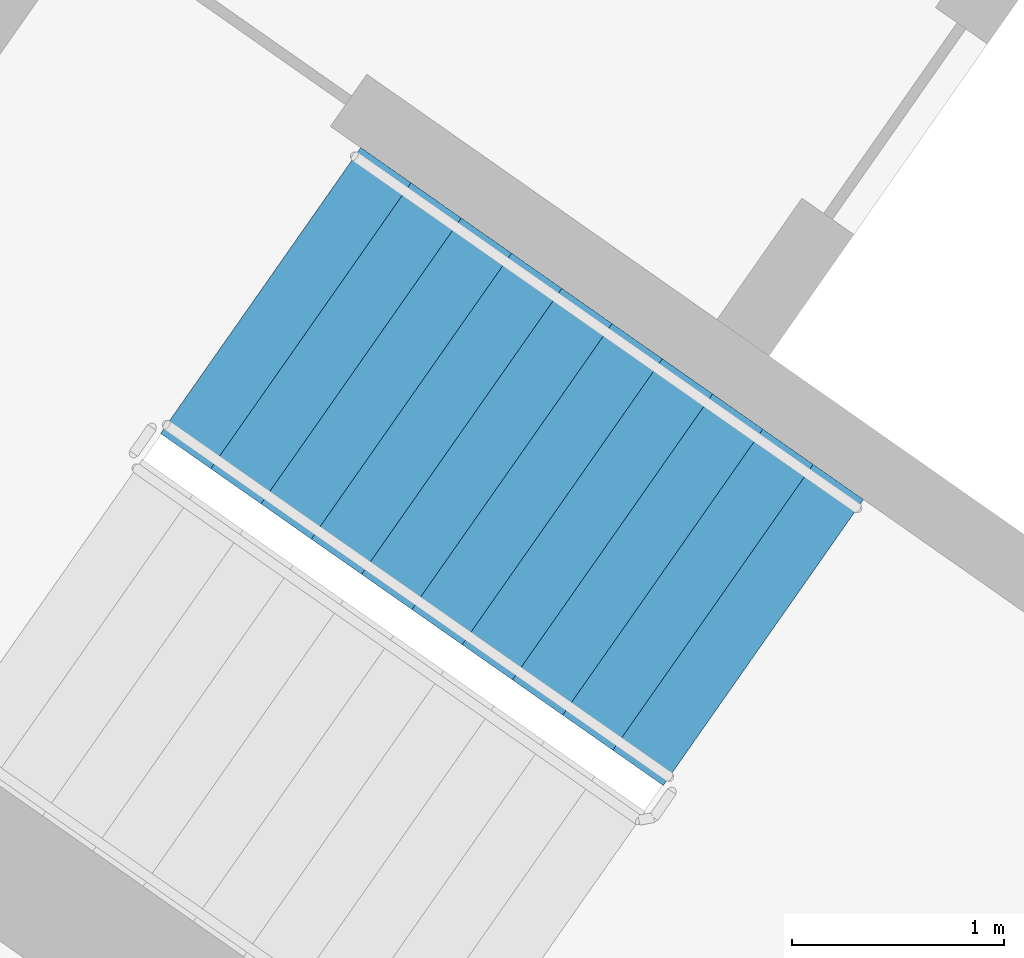
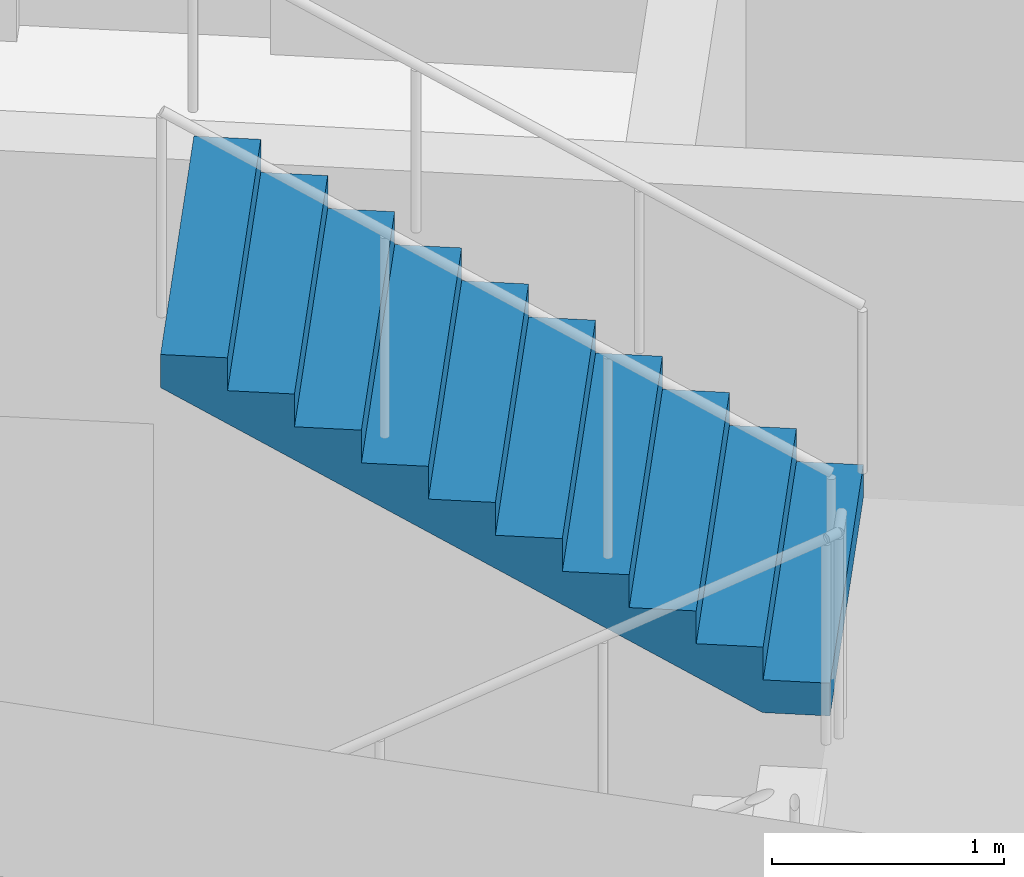
# One storey, part 10 of 27: 1 stair flight, 1 element without a shape of its own.
"""IFC4 building model written with IfcOpenShell, lengths in metres."""

from ifc_helpers import new_model, si_unit, direction, frame, origin, place, context, subcontext, project, spatial, faceted_brep, material, type_object, element, aggregate, save


model = new_model("IFC4")

# Units and contexts
model_context = context("Model", 3, precision=1e-05, world=origin(), true_north=direction((0.0, 1.0)))
body_context = subcontext(model_context, "Body", "Model", "MODEL_VIEW")
ifc_project = project(units=[si_unit("LENGTHUNIT", "METRE"), si_unit("AREAUNIT", "SQUARE_METRE"), si_unit("VOLUMEUNIT", "CUBIC_METRE"), si_unit("PLANEANGLEUNIT", "RADIAN"), si_unit("MASSUNIT", "GRAM", prefix="KILO")], contexts=[model_context])

# Site, building, storey
site_placement = place(None, origin())
site = spatial("IfcSite", under=ifc_project, at=site_placement, CompositionType="ELEMENT")
building_placement = place(site_placement, origin())
building = spatial("IfcBuilding", under=site, at=building_placement, Name="Qamariyya Broadcast Tower", CompositionType="ELEMENT")
storey_placement = place(building_placement, frame((0.0, 0.0, 222.699951171875)))
storey = spatial("IfcBuildingStorey", under=building, at=storey_placement, Name="L53", CompositionType="ELEMENT", Elevation=222.699951171875)

# Stair, stair flight
ifc_material = material(Name="Concrete C50/60", Category="concrete")
stair_type = type_object("IfcStairType", Name="Exit stair 22 risers of 173 mm", PredefinedType="HALF_TURN_STAIR", material=ifc_material)
stair_placement = place(storey_placement, origin())
stair = element("IfcStair", 1, at=stair_placement, inside=storey, type_object=stair_type, Name="L53 Stair W1", PredefinedType="HALF_TURN_STAIR")
stair_flight_type = type_object("IfcStairFlightType", Name="Exit stair flight 11 risers of 173 mm", PredefinedType="STRAIGHT", material=ifc_material)
stair_flight_placement = place(storey_placement, frame((-43.660888671875, -57.17138671875, 1.900146484375), z_axis=(0.0, 0.0, 1.0), x_axis=(-0.819152044289, 0.573576436351, 0.0)))
stair_flight = element("IfcStairFlight", 2, at=stair_flight_placement, type_object=stair_flight_type, Name="ST-W1 flight 2", NumberOfRisers=11, NumberOfTreads=10, PredefinedType="STRAIGHT", RiserHeight=0.172727273, TreadLength=0.29, context=body_context, shape_type="Brep", body=[
    faceted_brep([(0.0, 0.824951171875, 0.0), (0.0, 0.824951171875, 0.172607421875), (0.2900390625, 0.824951171875, 0.172607421875), (0.2900390625, 0.824951171875, 0.345458984375), (0.580078125, 0.824951171875, 0.345458984375), (0.580078125, 0.824951171875, 0.51806640625), (0.8701171875, 0.824951171875, 0.51806640625), (0.8701171875, 0.824951171875, 0.69091796875), (1.159912109375, 0.824951171875, 0.69091796875), (1.159912109375, 0.824951171875, 0.863525390625), (1.449951171875, 0.824951171875, 0.863525390625), (1.449951171875, 0.824951171875, 1.036376953125), (1.739990234375, 0.824951171875, 1.036376953125), (1.739990234375, 0.824951171875, 1.208984375), (2.030029296875, 0.824951171875, 1.208984375), (2.030029296875, 0.824951171875, 1.3818359375), (2.320068359375, 0.824951171875, 1.3818359375), (2.320068359375, 0.824951171875, 1.554443359375), (2.610107421875, 0.824951171875, 1.554443359375), (2.610107421875, 0.824951171875, 1.727294921875), (2.89990234375, 0.824951171875, 1.727294921875), (2.89990234375, 0.824951171875, 1.552734375), (0.29296875, 0.824951171875, 0.0), (0.29296875, -0.824951171875, 0.0), (2.89990234375, -0.824951171875, 1.552734375), (2.89990234375, -0.824951171875, 1.727294921875), (2.610107421875, -0.824951171875, 1.727294921875), (2.610107421875, -0.824951171875, 1.554443359375), (2.320068359375, -0.824951171875, 1.554443359375), (2.320068359375, -0.824951171875, 1.3818359375), (2.030029296875, -0.824951171875, 1.3818359375), (2.030029296875, -0.824951171875, 1.208984375), (1.739990234375, -0.824951171875, 1.208984375), (1.739990234375, -0.824951171875, 1.036376953125), (1.449951171875, -0.824951171875, 1.036376953125), (1.449951171875, -0.824951171875, 0.863525390625), (1.159912109375, -0.824951171875, 0.863525390625), (1.159912109375, -0.824951171875, 0.69091796875), (0.8701171875, -0.824951171875, 0.69091796875), (0.8701171875, -0.824951171875, 0.51806640625), (0.580078125, -0.824951171875, 0.51806640625), (0.580078125, -0.824951171875, 0.345458984375), (0.2900390625, -0.824951171875, 0.345458984375), (0.2900390625, -0.824951171875, 0.172607421875), (0.0, -0.824951171875, 0.172607421875), (0.0, -0.824951171875, 0.0), (0.0, 0.10009765625, 0.0), (0.0, 0.086669921875, 0.0), (0.0, 0.0732421875, 0.0), (0.0, 0.06005859375, 0.0), (0.0, 0.046630859375, 0.0), (0.0, 0.033447265625, 0.0), (0.0, 0.02001953125, 0.0), (0.0, 0.006591796875, 0.0), (0.0, -0.006591796875, 0.0), (0.0, -0.02001953125, 0.0), (0.0, -0.033447265625, 0.0), (0.0, -0.046630859375, 0.0), (0.0, -0.06005859375, 0.0), (0.0, -0.0732421875, 0.0), (0.0, -0.086669921875, 0.0), (0.0, -0.10009765625, 0.0), (0.0, -0.10009765625, 0.172607421875), (0.0, -0.086669921875, 0.172607421875), (0.0, -0.0732421875, 0.172607421875), (0.0, -0.06005859375, 0.172607421875), (0.0, -0.046630859375, 0.172607421875), (0.0, -0.033447265625, 0.172607421875), (0.0, -0.02001953125, 0.172607421875), (0.0, -0.006591796875, 0.172607421875), (0.0, 0.006591796875, 0.172607421875), (0.0, 0.02001953125, 0.172607421875), (0.0, 0.033447265625, 0.172607421875), (0.0, 0.046630859375, 0.172607421875), (0.0, 0.06005859375, 0.172607421875), (0.0, 0.0732421875, 0.172607421875), (0.0, 0.086669921875, 0.172607421875), (0.0, 0.10009765625, 0.172607421875), (0.2900390625, -0.10009765625, 0.172607421875), (0.2900390625, -0.086669921875, 0.172607421875), (0.2900390625, -0.0732421875, 0.172607421875), (0.2900390625, -0.06005859375, 0.172607421875), (0.2900390625, -0.046630859375, 0.172607421875), (0.2900390625, -0.033447265625, 0.172607421875), (0.2900390625, -0.02001953125, 0.172607421875), (0.2900390625, -0.006591796875, 0.172607421875), (0.2900390625, 0.006591796875, 0.172607421875), (0.2900390625, 0.02001953125, 0.172607421875), (0.2900390625, 0.033447265625, 0.172607421875), (0.2900390625, 0.046630859375, 0.172607421875), (0.2900390625, 0.06005859375, 0.172607421875), (0.2900390625, 0.0732421875, 0.172607421875), (0.2900390625, 0.086669921875, 0.172607421875), (0.2900390625, 0.10009765625, 0.172607421875), (0.2900390625, -0.10009765625, 0.345458984375), (0.2900390625, -0.086669921875, 0.345458984375), (0.2900390625, -0.0732421875, 0.345458984375), (0.2900390625, -0.06005859375, 0.345458984375), (0.2900390625, -0.046630859375, 0.345458984375), (0.2900390625, -0.033447265625, 0.345458984375), (0.2900390625, -0.02001953125, 0.345458984375), (0.2900390625, -0.006591796875, 0.345458984375), (0.2900390625, 0.006591796875, 0.345458984375), (0.2900390625, 0.02001953125, 0.345458984375), (0.2900390625, 0.033447265625, 0.345458984375), (0.2900390625, 0.046630859375, 0.345458984375), (0.2900390625, 0.06005859375, 0.345458984375), (0.2900390625, 0.0732421875, 0.345458984375), (0.2900390625, 0.086669921875, 0.345458984375), (0.2900390625, 0.10009765625, 0.345458984375), (0.580078125, -0.10009765625, 0.345458984375), (0.580078125, -0.086669921875, 0.345458984375), (0.580078125, -0.0732421875, 0.345458984375), (0.580078125, -0.06005859375, 0.345458984375), (0.580078125, -0.046630859375, 0.345458984375), (0.580078125, -0.033447265625, 0.345458984375), (0.580078125, -0.02001953125, 0.345458984375), (0.580078125, -0.006591796875, 0.345458984375), (0.580078125, 0.006591796875, 0.345458984375), (0.580078125, 0.02001953125, 0.345458984375), (0.580078125, 0.033447265625, 0.345458984375), (0.580078125, 0.046630859375, 0.345458984375), (0.580078125, 0.06005859375, 0.345458984375), (0.580078125, 0.0732421875, 0.345458984375), (0.580078125, 0.086669921875, 0.345458984375), (0.580078125, 0.10009765625, 0.345458984375), (0.580078125, -0.10009765625, 0.51806640625), (0.580078125, -0.086669921875, 0.51806640625), (0.580078125, -0.0732421875, 0.51806640625), (0.580078125, -0.06005859375, 0.51806640625), (0.580078125, -0.046630859375, 0.51806640625), (0.580078125, -0.033447265625, 0.51806640625), (0.580078125, -0.02001953125, 0.51806640625), (0.580078125, -0.006591796875, 0.51806640625), (0.580078125, 0.006591796875, 0.51806640625), (0.580078125, 0.02001953125, 0.51806640625), (0.580078125, 0.033447265625, 0.51806640625), (0.580078125, 0.046630859375, 0.51806640625), (0.580078125, 0.06005859375, 0.51806640625), (0.580078125, 0.0732421875, 0.51806640625), (0.580078125, 0.086669921875, 0.51806640625), (0.580078125, 0.10009765625, 0.51806640625), (0.8701171875, -0.10009765625, 0.51806640625), (0.8701171875, -0.086669921875, 0.51806640625), (0.8701171875, -0.0732421875, 0.51806640625), (0.8701171875, -0.06005859375, 0.51806640625), (0.8701171875, -0.046630859375, 0.51806640625), (0.8701171875, -0.033447265625, 0.51806640625), (0.8701171875, -0.02001953125, 0.51806640625), (0.8701171875, -0.006591796875, 0.51806640625), (0.8701171875, 0.006591796875, 0.51806640625), (0.8701171875, 0.02001953125, 0.51806640625), (0.8701171875, 0.033447265625, 0.51806640625), (0.8701171875, 0.046630859375, 0.51806640625), (0.8701171875, 0.06005859375, 0.51806640625), (0.8701171875, 0.0732421875, 0.51806640625), (0.8701171875, 0.086669921875, 0.51806640625), (0.8701171875, 0.10009765625, 0.51806640625), (0.8701171875, -0.10009765625, 0.69091796875), (0.8701171875, -0.086669921875, 0.69091796875), (0.8701171875, -0.0732421875, 0.69091796875), (0.8701171875, -0.06005859375, 0.69091796875), (0.8701171875, -0.046630859375, 0.69091796875), (0.8701171875, -0.033447265625, 0.69091796875), (0.8701171875, -0.02001953125, 0.69091796875), (0.8701171875, -0.006591796875, 0.69091796875), (0.8701171875, 0.006591796875, 0.69091796875), (0.8701171875, 0.02001953125, 0.69091796875), (0.8701171875, 0.033447265625, 0.69091796875), (0.8701171875, 0.046630859375, 0.69091796875), (0.8701171875, 0.06005859375, 0.69091796875), (0.8701171875, 0.0732421875, 0.69091796875), (0.8701171875, 0.086669921875, 0.69091796875), (0.8701171875, 0.10009765625, 0.69091796875), (1.159912109375, -0.10009765625, 0.69091796875), (1.159912109375, -0.086669921875, 0.69091796875), (1.159912109375, -0.0732421875, 0.69091796875), (1.159912109375, -0.06005859375, 0.69091796875), (1.159912109375, -0.046630859375, 0.69091796875), (1.159912109375, -0.033447265625, 0.69091796875), (1.159912109375, -0.02001953125, 0.69091796875), (1.159912109375, -0.006591796875, 0.69091796875), (1.159912109375, 0.006591796875, 0.69091796875), (1.159912109375, 0.02001953125, 0.69091796875), (1.159912109375, 0.033447265625, 0.69091796875), (1.159912109375, 0.046630859375, 0.69091796875), (1.159912109375, 0.06005859375, 0.69091796875), (1.159912109375, 0.0732421875, 0.69091796875), (1.159912109375, 0.086669921875, 0.69091796875), (1.159912109375, 0.10009765625, 0.69091796875), (1.159912109375, -0.10009765625, 0.863525390625), (1.159912109375, -0.086669921875, 0.863525390625), (1.159912109375, -0.0732421875, 0.863525390625), (1.159912109375, -0.06005859375, 0.863525390625), (1.159912109375, -0.046630859375, 0.863525390625), (1.159912109375, -0.033447265625, 0.863525390625), (1.159912109375, -0.02001953125, 0.863525390625), (1.159912109375, -0.006591796875, 0.863525390625), (1.159912109375, 0.006591796875, 0.863525390625), (1.159912109375, 0.02001953125, 0.863525390625), (1.159912109375, 0.033447265625, 0.863525390625), (1.159912109375, 0.046630859375, 0.863525390625), (1.159912109375, 0.06005859375, 0.863525390625), (1.159912109375, 0.0732421875, 0.863525390625), (1.159912109375, 0.086669921875, 0.863525390625), (1.159912109375, 0.10009765625, 0.863525390625), (1.449951171875, -0.10009765625, 0.863525390625), (1.449951171875, -0.086669921875, 0.863525390625), (1.449951171875, -0.0732421875, 0.863525390625), (1.449951171875, -0.06005859375, 0.863525390625), (1.449951171875, -0.046630859375, 0.863525390625), (1.449951171875, -0.033447265625, 0.863525390625), (1.449951171875, -0.02001953125, 0.863525390625), (1.449951171875, -0.006591796875, 0.863525390625), (1.449951171875, 0.006591796875, 0.863525390625), (1.449951171875, 0.02001953125, 0.863525390625), (1.449951171875, 0.033447265625, 0.863525390625), (1.449951171875, 0.046630859375, 0.863525390625), (1.449951171875, 0.06005859375, 0.863525390625), (1.449951171875, 0.0732421875, 0.863525390625), (1.449951171875, 0.086669921875, 0.863525390625), (1.449951171875, 0.10009765625, 0.863525390625), (1.449951171875, -0.10009765625, 1.036376953125), (1.449951171875, -0.086669921875, 1.036376953125), (1.449951171875, -0.0732421875, 1.036376953125), (1.449951171875, -0.06005859375, 1.036376953125), (1.449951171875, -0.046630859375, 1.036376953125), (1.449951171875, -0.033447265625, 1.036376953125), (1.449951171875, -0.02001953125, 1.036376953125), (1.449951171875, -0.006591796875, 1.036376953125), (1.449951171875, 0.006591796875, 1.036376953125), (1.449951171875, 0.02001953125, 1.036376953125), (1.449951171875, 0.033447265625, 1.036376953125), (1.449951171875, 0.046630859375, 1.036376953125), (1.449951171875, 0.06005859375, 1.036376953125), (1.449951171875, 0.0732421875, 1.036376953125), (1.449951171875, 0.086669921875, 1.036376953125), (1.449951171875, 0.10009765625, 1.036376953125), (1.739990234375, -0.10009765625, 1.036376953125), (1.739990234375, -0.086669921875, 1.036376953125), (1.739990234375, -0.0732421875, 1.036376953125), (1.739990234375, -0.06005859375, 1.036376953125), (1.739990234375, -0.046630859375, 1.036376953125), (1.739990234375, -0.033447265625, 1.036376953125), (1.739990234375, -0.02001953125, 1.036376953125), (1.739990234375, -0.006591796875, 1.036376953125), (1.739990234375, 0.006591796875, 1.036376953125), (1.739990234375, 0.02001953125, 1.036376953125), (1.739990234375, 0.033447265625, 1.036376953125), (1.739990234375, 0.046630859375, 1.036376953125), (1.739990234375, 0.06005859375, 1.036376953125), (1.739990234375, 0.0732421875, 1.036376953125), (1.739990234375, 0.086669921875, 1.036376953125), (1.739990234375, 0.10009765625, 1.036376953125), (1.739990234375, -0.10009765625, 1.208984375), (1.739990234375, -0.086669921875, 1.208984375), (1.739990234375, -0.0732421875, 1.208984375), (1.739990234375, -0.06005859375, 1.208984375), (1.739990234375, -0.046630859375, 1.208984375), (1.739990234375, -0.033447265625, 1.208984375), (1.739990234375, -0.02001953125, 1.208984375), (1.739990234375, -0.006591796875, 1.208984375), (1.739990234375, 0.006591796875, 1.208984375), (1.739990234375, 0.02001953125, 1.208984375), (1.739990234375, 0.033447265625, 1.208984375), (1.739990234375, 0.046630859375, 1.208984375), (1.739990234375, 0.06005859375, 1.208984375), (1.739990234375, 0.0732421875, 1.208984375), (1.739990234375, 0.086669921875, 1.208984375), (1.739990234375, 0.10009765625, 1.208984375), (2.030029296875, -0.10009765625, 1.208984375), (2.030029296875, -0.086669921875, 1.208984375), (2.030029296875, -0.0732421875, 1.208984375), (2.030029296875, -0.06005859375, 1.208984375), (2.030029296875, -0.046630859375, 1.208984375), (2.030029296875, -0.033447265625, 1.208984375), (2.030029296875, -0.02001953125, 1.208984375), (2.030029296875, -0.006591796875, 1.208984375), (2.030029296875, 0.006591796875, 1.208984375), (2.030029296875, 0.02001953125, 1.208984375), (2.030029296875, 0.033447265625, 1.208984375), (2.030029296875, 0.046630859375, 1.208984375), (2.030029296875, 0.06005859375, 1.208984375), (2.030029296875, 0.0732421875, 1.208984375), (2.030029296875, 0.086669921875, 1.208984375), (2.030029296875, 0.10009765625, 1.208984375), (2.030029296875, -0.10009765625, 1.3818359375), (2.030029296875, -0.086669921875, 1.3818359375), (2.030029296875, -0.0732421875, 1.3818359375), (2.030029296875, -0.06005859375, 1.3818359375), (2.030029296875, -0.046630859375, 1.3818359375), (2.030029296875, -0.033447265625, 1.3818359375), (2.030029296875, -0.02001953125, 1.3818359375), (2.030029296875, -0.006591796875, 1.3818359375), (2.030029296875, 0.006591796875, 1.3818359375), (2.030029296875, 0.02001953125, 1.3818359375), (2.030029296875, 0.033447265625, 1.3818359375), (2.030029296875, 0.046630859375, 1.3818359375), (2.030029296875, 0.06005859375, 1.3818359375), (2.030029296875, 0.0732421875, 1.3818359375), (2.030029296875, 0.086669921875, 1.3818359375), (2.030029296875, 0.10009765625, 1.3818359375), (2.320068359375, -0.10009765625, 1.3818359375), (2.320068359375, -0.086669921875, 1.3818359375), (2.320068359375, -0.0732421875, 1.3818359375), (2.320068359375, -0.06005859375, 1.3818359375), (2.320068359375, -0.046630859375, 1.3818359375), (2.320068359375, -0.033447265625, 1.3818359375), (2.320068359375, -0.02001953125, 1.3818359375), (2.320068359375, -0.006591796875, 1.3818359375), (2.320068359375, 0.006591796875, 1.3818359375), (2.320068359375, 0.02001953125, 1.3818359375), (2.320068359375, 0.033447265625, 1.3818359375), (2.320068359375, 0.046630859375, 1.3818359375), (2.320068359375, 0.06005859375, 1.3818359375), (2.320068359375, 0.0732421875, 1.3818359375), (2.320068359375, 0.086669921875, 1.3818359375), (2.320068359375, 0.10009765625, 1.3818359375), (2.320068359375, -0.10009765625, 1.554443359375), (2.320068359375, -0.086669921875, 1.554443359375), (2.320068359375, -0.0732421875, 1.554443359375), (2.320068359375, -0.06005859375, 1.554443359375), (2.320068359375, -0.046630859375, 1.554443359375), (2.320068359375, -0.033447265625, 1.554443359375), (2.320068359375, -0.02001953125, 1.554443359375), (2.320068359375, -0.006591796875, 1.554443359375), (2.320068359375, 0.006591796875, 1.554443359375), (2.320068359375, 0.02001953125, 1.554443359375), (2.320068359375, 0.033447265625, 1.554443359375), (2.320068359375, 0.046630859375, 1.554443359375), (2.320068359375, 0.06005859375, 1.554443359375), (2.320068359375, 0.0732421875, 1.554443359375), (2.320068359375, 0.086669921875, 1.554443359375), (2.320068359375, 0.10009765625, 1.554443359375), (2.610107421875, -0.10009765625, 1.554443359375), (2.610107421875, -0.086669921875, 1.554443359375), (2.610107421875, -0.0732421875, 1.554443359375), (2.610107421875, -0.06005859375, 1.554443359375), (2.610107421875, -0.046630859375, 1.554443359375), (2.610107421875, -0.033447265625, 1.554443359375), (2.610107421875, -0.02001953125, 1.554443359375), (2.610107421875, -0.006591796875, 1.554443359375), (2.610107421875, 0.006591796875, 1.554443359375), (2.610107421875, 0.02001953125, 1.554443359375), (2.610107421875, 0.033447265625, 1.554443359375), (2.610107421875, 0.046630859375, 1.554443359375), (2.610107421875, 0.06005859375, 1.554443359375), (2.610107421875, 0.0732421875, 1.554443359375), (2.610107421875, 0.086669921875, 1.554443359375), (2.610107421875, 0.10009765625, 1.554443359375), (2.610107421875, -0.10009765625, 1.727294921875), (2.610107421875, -0.086669921875, 1.727294921875), (2.610107421875, -0.0732421875, 1.727294921875), (2.610107421875, -0.06005859375, 1.727294921875), (2.610107421875, -0.046630859375, 1.727294921875), (2.610107421875, -0.033447265625, 1.727294921875), (2.610107421875, -0.02001953125, 1.727294921875), (2.610107421875, -0.006591796875, 1.727294921875), (2.610107421875, 0.006591796875, 1.727294921875), (2.610107421875, 0.02001953125, 1.727294921875), (2.610107421875, 0.033447265625, 1.727294921875), (2.610107421875, 0.046630859375, 1.727294921875), (2.610107421875, 0.06005859375, 1.727294921875), (2.610107421875, 0.0732421875, 1.727294921875), (2.610107421875, 0.086669921875, 1.727294921875), (2.610107421875, 0.10009765625, 1.727294921875), (2.89990234375, -0.10009765625, 1.727294921875), (2.89990234375, -0.086669921875, 1.727294921875), (2.89990234375, -0.0732421875, 1.727294921875), (2.89990234375, -0.06005859375, 1.727294921875), (2.89990234375, -0.046630859375, 1.727294921875), (2.89990234375, -0.033447265625, 1.727294921875), (2.89990234375, -0.02001953125, 1.727294921875), (2.89990234375, -0.006591796875, 1.727294921875), (2.89990234375, 0.006591796875, 1.727294921875), (2.89990234375, 0.02001953125, 1.727294921875), (2.89990234375, 0.033447265625, 1.727294921875), (2.89990234375, 0.046630859375, 1.727294921875), (2.89990234375, 0.06005859375, 1.727294921875), (2.89990234375, 0.0732421875, 1.727294921875), (2.89990234375, 0.086669921875, 1.727294921875), (2.89990234375, 0.10009765625, 1.727294921875), (2.89990234375, -0.10009765625, 1.552734375), (2.89990234375, -0.086669921875, 1.552734375), (2.89990234375, -0.0732421875, 1.552734375), (2.89990234375, -0.06005859375, 1.552734375), (2.89990234375, -0.046630859375, 1.552734375), (2.89990234375, -0.033447265625, 1.552734375), (2.89990234375, -0.02001953125, 1.552734375), (2.89990234375, -0.006591796875, 1.552734375), (2.89990234375, 0.006591796875, 1.552734375), (2.89990234375, 0.02001953125, 1.552734375), (2.89990234375, 0.033447265625, 1.552734375), (2.89990234375, 0.046630859375, 1.552734375), (2.89990234375, 0.06005859375, 1.552734375), (2.89990234375, 0.0732421875, 1.552734375), (2.89990234375, 0.086669921875, 1.552734375), (2.89990234375, 0.10009765625, 1.552734375), (0.29296875, -0.10009765625, 0.0), (0.29296875, -0.086669921875, 0.0), (0.29296875, -0.0732421875, 0.0), (0.29296875, -0.06005859375, 0.0), (0.29296875, -0.046630859375, 0.0), (0.29296875, -0.033447265625, 0.0), (0.29296875, -0.02001953125, 0.0), (0.29296875, -0.006591796875, 0.0), (0.29296875, 0.006591796875, 0.0), (0.29296875, 0.02001953125, 0.0), (0.29296875, 0.033447265625, 0.0), (0.29296875, 0.046630859375, 0.0), (0.29296875, 0.06005859375, 0.0), (0.29296875, 0.0732421875, 0.0), (0.29296875, 0.086669921875, 0.0), (0.29296875, 0.10009765625, 0.0)], [[[0, 1, 2, 3, 4, 5, 6, 7, 8, 9, 10, 11, 12, 13, 14, 15, 16, 17, 18, 19, 20, 21, 22]], [[23, 24, 25, 26, 27, 28, 29, 30, 31, 32, 33, 34, 35, 36, 37, 38, 39, 40, 41, 42, 43, 44, 45]], [[0, 46, 47, 48, 49, 50, 51, 52, 53, 54, 55, 56, 57, 58, 59, 60, 61, 45, 44, 62, 63, 64, 65, 66, 67, 68, 69, 70, 71, 72, 73, 74, 75, 76, 77, 1]], [[1, 77, 76, 75, 74, 73, 72, 71, 70, 69, 68, 67, 66, 65, 64, 63, 62, 44, 43, 78, 79, 80, 81, 82, 83, 84, 85, 86, 87, 88, 89, 90, 91, 92, 93, 2]], [[2, 93, 92, 91, 90, 89, 88, 87, 86, 85, 84, 83, 82, 81, 80, 79, 78, 43, 42, 94, 95, 96, 97, 98, 99, 100, 101, 102, 103, 104, 105, 106, 107, 108, 109, 3]], [[3, 109, 108, 107, 106, 105, 104, 103, 102, 101, 100, 99, 98, 97, 96, 95, 94, 42, 41, 110, 111, 112, 113, 114, 115, 116, 117, 118, 119, 120, 121, 122, 123, 124, 125, 4]], [[4, 125, 124, 123, 122, 121, 120, 119, 118, 117, 116, 115, 114, 113, 112, 111, 110, 41, 40, 126, 127, 128, 129, 130, 131, 132, 133, 134, 135, 136, 137, 138, 139, 140, 141, 5]], [[5, 141, 140, 139, 138, 137, 136, 135, 134, 133, 132, 131, 130, 129, 128, 127, 126, 40, 39, 142, 143, 144, 145, 146, 147, 148, 149, 150, 151, 152, 153, 154, 155, 156, 157, 6]], [[6, 157, 156, 155, 154, 153, 152, 151, 150, 149, 148, 147, 146, 145, 144, 143, 142, 39, 38, 158, 159, 160, 161, 162, 163, 164, 165, 166, 167, 168, 169, 170, 171, 172, 173, 7]], [[7, 173, 172, 171, 170, 169, 168, 167, 166, 165, 164, 163, 162, 161, 160, 159, 158, 38, 37, 174, 175, 176, 177, 178, 179, 180, 181, 182, 183, 184, 185, 186, 187, 188, 189, 8]], [[8, 189, 188, 187, 186, 185, 184, 183, 182, 181, 180, 179, 178, 177, 176, 175, 174, 37, 36, 190, 191, 192, 193, 194, 195, 196, 197, 198, 199, 200, 201, 202, 203, 204, 205, 9]], [[9, 205, 204, 203, 202, 201, 200, 199, 198, 197, 196, 195, 194, 193, 192, 191, 190, 36, 35, 206, 207, 208, 209, 210, 211, 212, 213, 214, 215, 216, 217, 218, 219, 220, 221, 10]], [[10, 221, 220, 219, 218, 217, 216, 215, 214, 213, 212, 211, 210, 209, 208, 207, 206, 35, 34, 222, 223, 224, 225, 226, 227, 228, 229, 230, 231, 232, 233, 234, 235, 236, 237, 11]], [[11, 237, 236, 235, 234, 233, 232, 231, 230, 229, 228, 227, 226, 225, 224, 223, 222, 34, 33, 238, 239, 240, 241, 242, 243, 244, 245, 246, 247, 248, 249, 250, 251, 252, 253, 12]], [[12, 253, 252, 251, 250, 249, 248, 247, 246, 245, 244, 243, 242, 241, 240, 239, 238, 33, 32, 254, 255, 256, 257, 258, 259, 260, 261, 262, 263, 264, 265, 266, 267, 268, 269, 13]], [[13, 269, 268, 267, 266, 265, 264, 263, 262, 261, 260, 259, 258, 257, 256, 255, 254, 32, 31, 270, 271, 272, 273, 274, 275, 276, 277, 278, 279, 280, 281, 282, 283, 284, 285, 14]], [[14, 285, 284, 283, 282, 281, 280, 279, 278, 277, 276, 275, 274, 273, 272, 271, 270, 31, 30, 286, 287, 288, 289, 290, 291, 292, 293, 294, 295, 296, 297, 298, 299, 300, 301, 15]], [[15, 301, 300, 299, 298, 297, 296, 295, 294, 293, 292, 291, 290, 289, 288, 287, 286, 30, 29, 302, 303, 304, 305, 306, 307, 308, 309, 310, 311, 312, 313, 314, 315, 316, 317, 16]], [[16, 317, 316, 315, 314, 313, 312, 311, 310, 309, 308, 307, 306, 305, 304, 303, 302, 29, 28, 318, 319, 320, 321, 322, 323, 324, 325, 326, 327, 328, 329, 330, 331, 332, 333, 17]], [[17, 333, 332, 331, 330, 329, 328, 327, 326, 325, 324, 323, 322, 321, 320, 319, 318, 28, 27, 334, 335, 336, 337, 338, 339, 340, 341, 342, 343, 344, 345, 346, 347, 348, 349, 18]], [[18, 349, 348, 347, 346, 345, 344, 343, 342, 341, 340, 339, 338, 337, 336, 335, 334, 27, 26, 350, 351, 352, 353, 354, 355, 356, 357, 358, 359, 360, 361, 362, 363, 364, 365, 19]], [[19, 365, 364, 363, 362, 361, 360, 359, 358, 357, 356, 355, 354, 353, 352, 351, 350, 26, 25, 366, 367, 368, 369, 370, 371, 372, 373, 374, 375, 376, 377, 378, 379, 380, 381, 20]], [[20, 381, 380, 379, 378, 377, 376, 375, 374, 373, 372, 371, 370, 369, 368, 367, 366, 25, 24, 382, 383, 384, 385, 386, 387, 388, 389, 390, 391, 392, 393, 394, 395, 396, 397, 21]], [[21, 397, 396, 395, 394, 393, 392, 391, 390, 389, 388, 387, 386, 385, 384, 383, 382, 24, 23, 398, 399, 400, 401, 402, 403, 404, 405, 406, 407, 408, 409, 410, 411, 412, 413, 22]], [[22, 413, 412, 411, 410, 409, 408, 407, 406, 405, 404, 403, 402, 401, 400, 399, 398, 23, 45, 61, 60, 59, 58, 57, 56, 55, 54, 53, 52, 51, 50, 49, 48, 47, 46, 0]]]),
])
aggregate(stair, [stair_flight])

save(model, "model.ifc")
